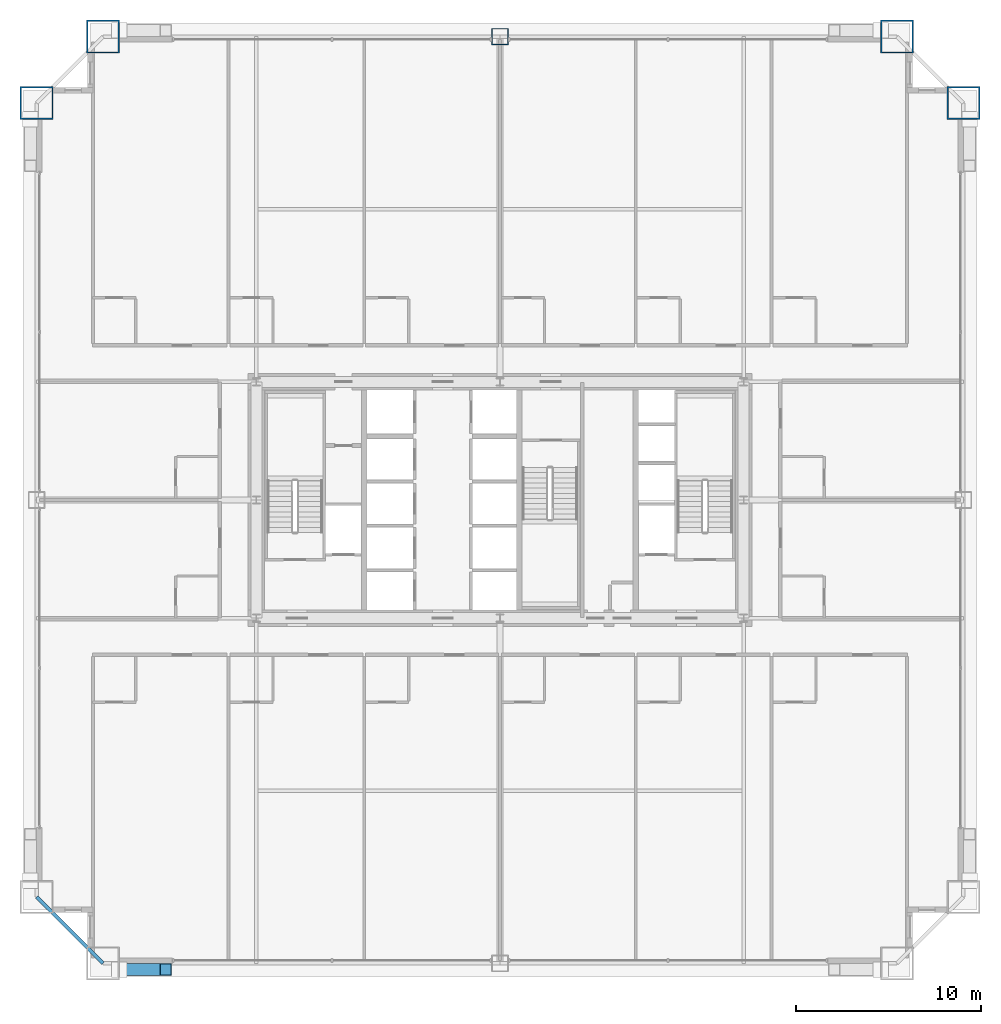
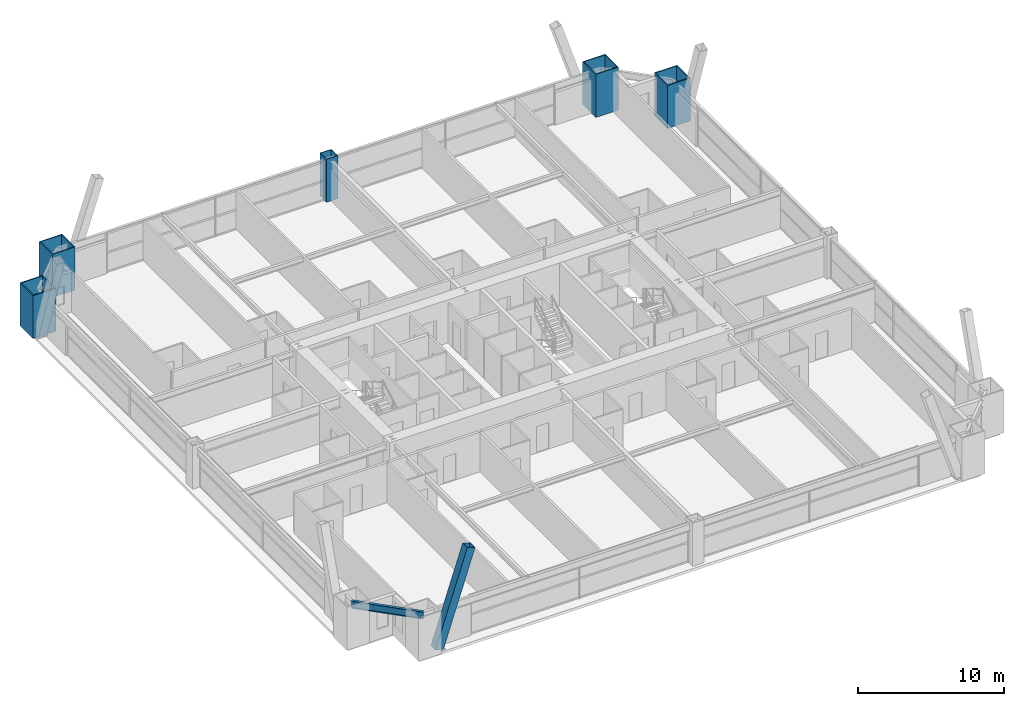
# One storey, part 2 of 43: 5 columns, 1 beam, 1 member.
"""IFC4 building model written with IfcOpenShell, lengths in metres."""

from ifc_helpers import new_model, si_unit, direction, frame, origin, origin_2d, place, context, subcontext, project, spatial, hollow_rectangle, i_section, extrude, source, transform, mapped, material, material_profile, profile_set, type_object, element, save


model = new_model("IFC4")

# Units and contexts
model_context = context("Model", 3, precision=1e-05, world=origin(), true_north=direction((0.0, 1.0)))
body_context = subcontext(model_context, "Body", "Model", "MODEL_VIEW")
ifc_project = project(units=[si_unit("LENGTHUNIT", "METRE"), si_unit("AREAUNIT", "SQUARE_METRE"), si_unit("VOLUMEUNIT", "CUBIC_METRE"), si_unit("PLANEANGLEUNIT", "RADIAN"), si_unit("MASSUNIT", "GRAM", prefix="KILO"), si_unit("THERMODYNAMICTEMPERATUREUNIT", "KELVIN"), si_unit("POWERUNIT", "WATT")], contexts=[model_context])

# Site, building, storey
site_placement = place(None, origin())
site = spatial("IfcSite", under=ifc_project, at=site_placement, CompositionType="ELEMENT")
building_placement = place(site_placement, origin())
building = spatial("IfcBuilding", under=site, at=building_placement, Name="Yuzanri Waterfront Tower", CompositionType="ELEMENT")
storey_placement = place(building_placement, frame((0.0, 0.0, 37.800048828125)))
storey = spatial("IfcBuildingStorey", under=building, at=storey_placement, Name="L09", CompositionType="ELEMENT", Elevation=37.800048828125)

# Columns
ifc_material_1 = material(Name="Steel Q420GJC", Category="steel")
ifc_material_profile_1 = material_profile(ifc_material_1, hollow_rectangle(XDim=1.800048828125, YDim=1.800048828125, WallThickness=0.080078125, at=origin_2d()), Name="RHS 1800x1800x80")
ifc_profile_set_1 = profile_set([ifc_material_profile_1], Name="Steel Q420GJC")
column_type_1 = type_object("IfcColumnType", Name="Mega Column Q420GJC RHS 1800x1800x80", PredefinedType="COLUMN", material=ifc_profile_set_1)
shared_shape_1 = source(origin(), body_context, "Body", "SweptSolid", [
    extrude(hollow_rectangle(XDim=1.800048828125, YDim=1.800048828125, WallThickness=0.080078125, at=origin_2d()), origin(), (0.0, 0.0, 1.0), 3.599853515625),
])
for number, where, z_axis, x_axis, name in (
    (1, (15.5, 50.89990234375, 0.0), (0.0, 0.0, 1.0), (1.0, 0.0, 0.0), "L09 Perimeter Mega Column N1"),
    (2, (58.5, 50.89990234375, 0.0), (0.0, 0.0, 1.0), (1.0, 0.0, 0.0), "L09 Perimeter Mega Column N3"),
    (3, (11.89990234375, 47.300048828125, 0.0), (0.0, 0.0, 1.0), (1.0, 0.0, 0.0), "L09 Perimeter Mega Column W3"),
    (4, (62.10009765625, 47.300048828125, 0.0), (0.0, 0.0, 1.0), (1.0, 0.0, 0.0), "L09 Perimeter Mega Column E3"),
):
    element("IfcColumn", number, at=place(storey_placement, frame(where, z_axis=z_axis, x_axis=x_axis)), inside=storey, type_object=column_type_1, Name=name, PredefinedType="COLUMN", context=body_context, shape_type="MappedRepresentation", body=[
        mapped(shared_shape_1, transform((0.0, 0.0, 0.0), scale=1.0)),
    ])
ifc_material_2 = material(Name="Steel Q390GJC", Category="steel")
ifc_material_profile_2 = material_profile(ifc_material_2, hollow_rectangle(XDim=0.89990234375, YDim=0.89990234375, WallThickness=0.0419921875, at=origin_2d()), Name="RHS 900x900x42")
ifc_profile_set_2 = profile_set([ifc_material_profile_2], Name="Steel Q390GJC")
column_type_2 = type_object("IfcColumnType", Name="Frame Column Q390GJC RHS 900x900x42", PredefinedType="COLUMN", material=ifc_profile_set_2)
shared_shape_2 = source(origin(), body_context, "Body", "SweptSolid", [
    extrude(hollow_rectangle(XDim=0.89990234375, YDim=0.89990234375, WallThickness=0.0419921875, at=origin_2d()), origin(), (0.0, 0.0, 1.0), 3.599853515625),
])
column_placement = place(storey_placement, frame((37.0, 50.89990234375, 0.0), z_axis=(0.0, 0.0, 1.0), x_axis=(1.0, 0.0, 0.0)))
element("IfcColumn", 5, at=column_placement, inside=storey, type_object=column_type_2, Name="L09 Perimeter Frame Column N2", PredefinedType="COLUMN", context=body_context, shape_type="MappedRepresentation", body=[
    mapped(shared_shape_2, transform((0.0, 0.0, 0.0), scale=1.0)),
])

# Beam
ifc_material_3 = material(Name="Steel Q355B", Category="steel")
ifc_material_profile_3 = material_profile(ifc_material_3, i_section(OverallWidth=0.199951171875, OverallDepth=0.60009765625, WebThickness=0.010986328125, FlangeThickness=0.01708984375, at=origin_2d()), Name="HN 600x200x11x17")
ifc_profile_set_3 = profile_set([ifc_material_profile_3], Name="Steel Q355B")
beam_type = type_object("IfcBeamType", Name="Perimeter Spandrel Q355B HN 600x200", PredefinedType="SPANDREL", material=ifc_profile_set_3)
shared_shape_3 = source(origin(), body_context, "Body", "SweptSolid", [
    extrude(i_section(OverallWidth=0.199951171875, OverallDepth=0.60009765625, WebThickness=0.010986328125, FlangeThickness=0.01708984375, at=origin_2d()), origin(), (0.0, 0.0, 1.0), 5.09130859375),
])
beam_placement = place(storey_placement, frame((11.89990234375, 4.300048828125, 3.02001953125), z_axis=(0.707106781187, -0.707106781187, 0.0), x_axis=(0.707106781187, 0.707106781187, 0.0)))
element("IfcBeam", 6, at=beam_placement, inside=storey, type_object=beam_type, Name="L09 Perimeter Spandrel W1-S1", PredefinedType="SPANDREL", context=body_context, shape_type="MappedRepresentation", body=[
    mapped(shared_shape_3, transform((0.0, 0.0, 0.0), scale=1.0)),
])

# Member
ifc_material_4 = material(Name="Steel Q420GJC", Category="steel")
ifc_material_profile_4 = material_profile(ifc_material_4, hollow_rectangle(XDim=0.64990234375, YDim=0.64990234375, WallThickness=0.028076171875, at=origin_2d()), Name="RHS 650x650x28")
ifc_profile_set_4 = profile_set([ifc_material_profile_4], Name="Steel Q420GJC")
member_type = type_object("IfcMemberType", Name="Mega Brace Lower Q420GJC RHS 650x650x28", PredefinedType="BRACE", material=ifc_profile_set_4)
shared_shape_4 = source(origin(), body_context, "Body", "SweptSolid", [
    extrude(hollow_rectangle(XDim=0.64990234375, YDim=0.64990234375, WallThickness=0.028076171875, at=origin_2d()), origin(), (0.0, 0.0, 1.0), 8.101806640625),
])
member_placement = place(storey_placement, frame((16.3798828125, 0.360107421875, 0.179931640625), z_axis=(0.311043019491, 0.0, 0.950395833338), x_axis=(0.0, 1.0, 0.0)))
element("IfcMember", 7, at=member_placement, inside=storey, type_object=member_type, Name="L09-L10 Perimeter Mega-Brace S-L", PredefinedType="BRACE", context=body_context, shape_type="MappedRepresentation", body=[
    mapped(shared_shape_4, transform((0.0, 0.0, 0.0), scale=1.0)),
])

save(model, "model.ifc")
